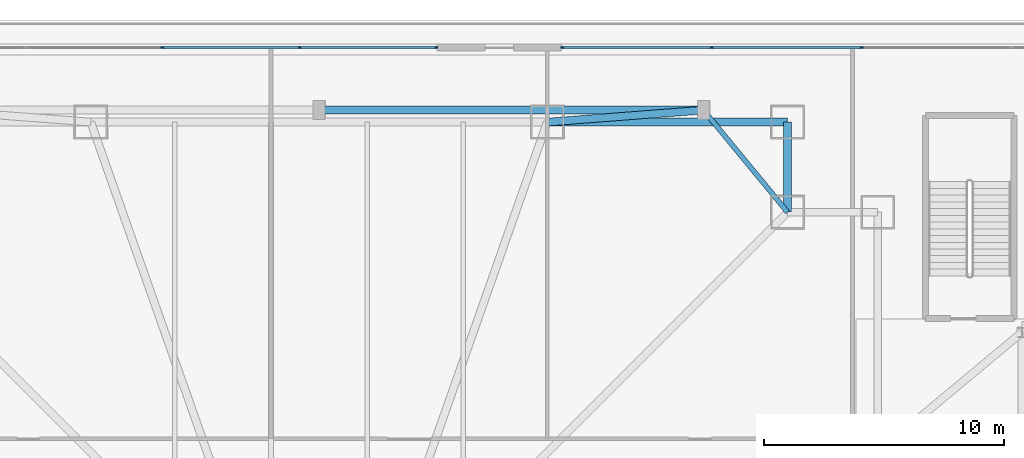
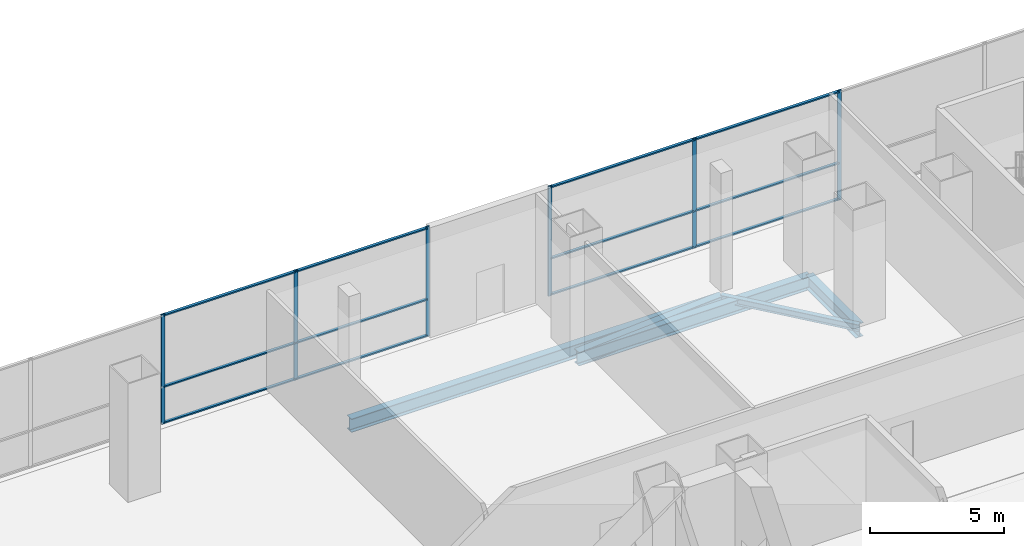
# One storey, part 16 of 35: 18 members, 5 beams, 2 elements without a shape of their own.
"""IFC4 building model written with IfcOpenShell, lengths in metres."""

import ifcopenshell
import ifcopenshell.guid

model = None  # the IFC model being written
_history = None  # IfcOwnerHistory: only IFC2X3 demands one
_inside = {}  # id of a spatial element -> (the spatial element, [elements in it])
_under = {}  # id of a project, library or spatial element -> (it, [spatial elements below it])
_declared = {}  # id of a project -> (the project, [libraries it declares])
_typed = {}  # id of a type object -> (the type object, [elements of that type])
_made_of = {}  # id of a material, layer set ... -> (it, [elements and type objects made of it])


def new_model(schema):
    """Start an empty IFC model of exactly this schema.

    Asked for "IFC4X3", IfcOpenShell would pick the latest addendum, in which some entities
    have other attributes; the version numbers below select the first issue.
    IFC2X3 requires an IfcOwnerHistory on every rooted entity: one is made here for all.
    """
    global model, _history
    if schema == "IFC4X3":
        model = ifcopenshell.file(schema_version=(4, 3, 0, 0))
    else:
        model = ifcopenshell.file(schema=schema)
    _inside.clear()
    _under.clear()
    _declared.clear()
    _typed.clear()
    _made_of.clear()
    _history = None
    if model.schema == "IFC2X3":
        org = make("IfcOrganization", Name="unknown")
        user = make(
            "IfcPersonAndOrganization",
            ThePerson=make("IfcPerson", FamilyName="unknown"),
            TheOrganization=org,
        )
        app = make(
            "IfcApplication",
            ApplicationDeveloper=org,
            Version="unknown",
            ApplicationFullName="unknown",
            ApplicationIdentifier="unknown",
        )
        _history = make(
            "IfcOwnerHistory",
            OwningUser=user,
            OwningApplication=app,
            ChangeAction="ADDED",
            CreationDate=0,
        )
    return model


def make(cls, **values):
    """One entity of the class cls with the attributes given. An attribute that is None is left unset."""
    return model.create_entity(
        cls, **{name: value for name, value in values.items() if value is not None}
    )


def rooted(cls, **values):
    """An entity with a GlobalId (a new one), such as an element, a storey or a relation."""
    return make(cls, GlobalId=ifcopenshell.guid.new(), OwnerHistory=_history, **values)


def si_unit(unit_type, name, prefix=None):
    """IfcSIUnit, for example si_unit("LENGTHUNIT", "METRE", prefix="MILLI")."""
    return make("IfcSIUnit", UnitType=unit_type, Prefix=prefix, Name=name)


def assignment(units):
    """IfcUnitAssignment: the units of a project."""
    return None if units is None else make("IfcUnitAssignment", Units=units)


def point(xyz):
    """IfcCartesianPoint."""
    return None if xyz is None else make("IfcCartesianPoint", Coordinates=xyz)


def direction(xyz):
    """IfcDirection."""
    return None if xyz is None else make("IfcDirection", DirectionRatios=xyz)


def frame(location, z_axis=None, x_axis=None):
    """IfcAxis2Placement3D, a coordinate frame: its origin and axes. An axis left out is left unset."""
    return make(
        "IfcAxis2Placement3D",
        Location=point(location),
        Axis=direction(z_axis),
        RefDirection=direction(x_axis),
    )


def frame_2d(location, x_axis=None):
    """IfcAxis2Placement2D, a coordinate frame in the plane: its origin and x axis."""
    return make(
        "IfcAxis2Placement2D", Location=point(location), RefDirection=direction(x_axis)
    )


def origin():
    """The frame at (0, 0, 0) with its axes left unset."""
    return frame((0.0, 0.0, 0.0))


def origin_2d():
    """The frame at (0, 0) in the plane with its x axis left unset."""
    return frame_2d((0.0, 0.0))


def place(relative_to, where):
    """IfcLocalPlacement: puts the frame where relative to a parent placement (None: the world)."""
    return make(
        "IfcLocalPlacement", PlacementRelTo=relative_to, RelativePlacement=where
    )


def context(
    kind, dimensions, precision=None, world=None, true_north=None, identifier=None
):
    """IfcGeometricRepresentationContext, for example the 3D "Model" context."""
    return make(
        "IfcGeometricRepresentationContext",
        ContextIdentifier=identifier,
        ContextType=kind,
        CoordinateSpaceDimension=dimensions,
        Precision=precision,
        WorldCoordinateSystem=world,
        TrueNorth=true_north,
    )


def subcontext(parent, identifier, kind, view, scale=None):
    """IfcGeometricRepresentationSubContext, for example "Body" below "Model"."""
    return make(
        "IfcGeometricRepresentationSubContext",
        ContextIdentifier=identifier,
        ContextType=kind,
        ParentContext=parent,
        TargetScale=scale,
        TargetView=view,
    )


def project(units=None, contexts=None):
    """IfcProject with its units and contexts."""
    return rooted(
        "IfcProject",
        Name="project",
        RepresentationContexts=contexts,
        UnitsInContext=assignment(units),
    )


def spatial(cls, under=None, at=None, **own):
    """A site, building, storey or space (cls), placed at a placement, below another one or the project."""
    s = rooted(cls, ObjectPlacement=at, **own)
    if under is not None:
        _under.setdefault(under.id(), (under, []))[1].append(s)
    return s


def profile(cls, at=None, kind="AREA", **sizes):
    """A parametric profile (cls). Its sizes go by their IFC names, for example OverallWidth=200.0."""
    return make(cls, ProfileType=kind, Position=at, **sizes)


def rectangle(**sizes):
    """IfcRectangleProfileDef."""
    return profile("IfcRectangleProfileDef", **sizes)


def i_section(**sizes):
    """IfcIShapeProfileDef."""
    return profile("IfcIShapeProfileDef", **sizes)


def extrude(swept, where, along, depth):
    """IfcExtrudedAreaSolid: the profile swept, set in the frame where, extruded along a direction by depth."""
    return make(
        "IfcExtrudedAreaSolid",
        SweptArea=swept,
        Position=where,
        ExtrudedDirection=direction(along),
        Depth=depth,
    )


def shape(context_of_items, identifier, shape_type, items):
    """IfcShapeRepresentation: the items that make up one representation, for example the "Body"."""
    return make(
        "IfcShapeRepresentation",
        ContextOfItems=context_of_items,
        RepresentationIdentifier=identifier,
        RepresentationType=shape_type,
        Items=items,
    )


def material(Name=None, Category=None):
    """IfcMaterial."""
    return make("IfcMaterial", Name=Name, Category=Category)


def layer(
    of_material, thickness, ventilated=None, Name=None, Category=None, Priority=None
):
    """IfcMaterialLayer: one layer of a wall or slab, of a material (None: an air gap)."""
    return make(
        "IfcMaterialLayer",
        Material=of_material,
        LayerThickness=thickness,
        IsVentilated=ventilated,
        Name=Name,
        Category=Category,
        Priority=Priority,
    )


def layer_set(layers, Name=None):
    """IfcMaterialLayerSet."""
    return make("IfcMaterialLayerSet", MaterialLayers=layers, LayerSetName=Name)


def material_profile(
    of_material, cross_section, Name=None, Category=None, Priority=None
):
    """IfcMaterialProfile: a cross section and its material."""
    return make(
        "IfcMaterialProfile",
        Name=Name,
        Material=of_material,
        Profile=cross_section,
        Priority=Priority,
        Category=Category,
    )


def profile_set(profiles, Name=None, composite=None):
    """IfcMaterialProfileSet."""
    return make(
        "IfcMaterialProfileSet",
        Name=Name,
        MaterialProfiles=profiles,
        CompositeProfile=composite,
    )


def made_of(thing, what):
    """Note that an element or type object is made of a material, layer set ...; save() writes the relation."""
    if what is not None:
        _made_of.setdefault(what.id(), (what, []))[1].append(thing)
    return thing


def type_object(cls, material=None, **own):
    """A type object (cls), such as IfcWallType, which elements share."""
    return made_of(rooted(cls, **own), material)


def element(
    cls,
    number,
    at=None,
    inside=None,
    cuts=None,
    type_object=None,
    material=None,
    context=None,
    identifier="Body",
    shape_type=None,
    held_by="IfcProductDefinitionShape",
    body=None,
    shapes=None,
    **own,
):
    """One element of the class cls, such as IfcWall. Its Tag is "e" and its number.

    at: its placement. inside: the storey or other place that contains it. cuts: it is an
    opening in that element (IfcRelVoidsElement). A single representation is given by context,
    identifier, shape_type and body (its items); several are given by shapes. held_by: the class
    of the entity that holds the representations. save() writes the other relations.
    """
    e = rooted(cls, Tag="e%d" % number, ObjectPlacement=at, **own)
    if body is not None:
        shapes = [shape(context, identifier, shape_type, body)]
    if shapes is not None:
        e.Representation = make(held_by, Representations=shapes)
    if inside is not None:
        _inside.setdefault(inside.id(), (inside, []))[1].append(e)
    if cuts is not None:
        rooted(
            "IfcRelVoidsElement", RelatingBuildingElement=cuts, RelatedOpeningElement=e
        )
    if type_object is not None:
        _typed.setdefault(type_object.id(), (type_object, []))[1].append(e)
    return made_of(e, material)


def aggregate(whole, parts):
    """IfcRelAggregates: a whole, such as a stair, and the parts it consists of."""
    return rooted("IfcRelAggregates", RelatingObject=whole, RelatedObjects=parts)


def save(model, path):
    """Write the relations noted so far, then the file.

    IfcRelAggregates (storeys below a building ...), IfcRelContainedInSpatialStructure (elements
    in a storey), IfcRelDefinesByType, IfcRelAssociatesMaterial and IfcRelDeclares: one each for
    every whole, place, type object, material and project.
    """
    for whole, parts in _under.values():
        aggregate(whole, parts)
    for where, things in _inside.values():
        rooted(
            "IfcRelContainedInSpatialStructure",
            RelatedElements=things,
            RelatingStructure=where,
        )
    for kind, things in _typed.values():
        rooted("IfcRelDefinesByType", RelatedObjects=things, RelatingType=kind)
    for what, things in _made_of.values():
        rooted("IfcRelAssociatesMaterial", RelatedObjects=things, RelatingMaterial=what)
    for by, libraries in _declared.values():
        rooted("IfcRelDeclares", RelatingContext=by, RelatedDefinitions=libraries)
    model.write(path)


model = new_model("IFC4")

# Units and contexts
model_context = context("Model", 3, precision=1e-05, world=origin(), true_north=direction((0.0, 1.0)))
body_context = subcontext(model_context, "Body", "Model", "MODEL_VIEW")
ifc_project = project(units=[si_unit("LENGTHUNIT", "METRE"), si_unit("AREAUNIT", "SQUARE_METRE"), si_unit("VOLUMEUNIT", "CUBIC_METRE"), si_unit("PLANEANGLEUNIT", "RADIAN"), si_unit("MASSUNIT", "GRAM", prefix="KILO")], contexts=[model_context])

# Site, building, storey
site_placement = place(None, origin())
site = spatial("IfcSite", under=ifc_project, at=site_placement, CompositionType="ELEMENT")
building_placement = place(site_placement, origin())
building = spatial("IfcBuilding", under=site, at=building_placement, Name="Trevonay Congress Spire", CompositionType="ELEMENT")
storey_placement = place(building_placement, frame((0.0, 0.0, 10.800048828125)))
storey = spatial("IfcBuildingStorey", under=building, at=storey_placement, Name="L02", CompositionType="ELEMENT", Elevation=10.800048828125)

# Beams
ifc_material_1 = material(Name="Steel ASTM A572 Grade 50", Category="steel")
ifc_material_profile_1 = material_profile(ifc_material_1, i_section(OverallWidth=0.324951171875, OverallDepth=0.615966796875, WebThickness=0.013916015625, FlangeThickness=0.021484375, FilletRadius=0.01806640625, at=origin_2d()), Name="W610x174")
ifc_profile_set_1 = profile_set([ifc_material_profile_1], Name="Steel ASTM A572 Grade 50")
beam_type_1 = type_object("IfcBeamType", Name="BM-GIRD-W610X174", PredefinedType="BEAM", material=ifc_profile_set_1)
beam_1_placement = place(storey_placement, frame((9.5, 23.25, -0.7080078125), z_axis=(1.0, 0.0, 0.0), x_axis=(0.0, 1.0, 0.0)))
element("IfcBeam", 1, at=beam_1_placement, inside=storey, type_object=beam_type_1, Name="L02 structural beam BM-L02-MN3", PredefinedType="BEAM", context=body_context, shape_type="SweptSolid", body=[
    extrude(i_section(OverallWidth=0.324951171875, OverallDepth=0.615966796875, WebThickness=0.013916015625, FlangeThickness=0.021484375, FilletRadius=0.01806640625, at=origin_2d()), origin(), (0.0, 0.0, 1.0), 10.0),
])
beam_2_placement = place(storey_placement, frame((19.5, 23.25, -0.7080078125), z_axis=(0.0, -1.0, 0.0), x_axis=(1.0, 0.0, 0.0)))
element("IfcBeam", 2, at=beam_2_placement, inside=storey, type_object=beam_type_1, Name="L02 structural beam BM-L02-CNE", PredefinedType="BEAM", context=body_context, shape_type="SweptSolid", body=[
    extrude(i_section(OverallWidth=0.324951171875, OverallDepth=0.615966796875, WebThickness=0.013916015625, FlangeThickness=0.021484375, FilletRadius=0.01806640625, at=origin_2d()), origin(), (0.0, 0.0, 1.0), 3.75),
])
beam_3_placement = place(storey_placement, frame((0.0, 23.75, -0.7080078125), z_axis=(1.0, 0.0, 0.0), x_axis=(0.0, 1.0, 0.0)))
element("IfcBeam", 3, at=beam_3_placement, inside=storey, type_object=beam_type_1, Name="L02 structural beam BM-L02-PIL-N2", PredefinedType="BEAM", context=body_context, shape_type="SweptSolid", body=[
    extrude(i_section(OverallWidth=0.324951171875, OverallDepth=0.615966796875, WebThickness=0.013916015625, FlangeThickness=0.021484375, FilletRadius=0.01806640625, at=origin_2d()), origin(), (0.0, 0.0, 1.0), 16.0),
])
beam_4_placement = place(storey_placement, frame((9.5, 23.25, -0.7080078125), z_axis=(0.997054485502, 0.076696498885, 0.0), x_axis=(-0.076696498885, 0.997054485502, 0.0)))
element("IfcBeam", 4, at=beam_4_placement, inside=storey, type_object=beam_type_1, Name="L02 structural beam BM-L02-PIL-TN2", PredefinedType="BEAM", context=body_context, shape_type="SweptSolid", body=[
    extrude(i_section(OverallWidth=0.324951171875, OverallDepth=0.615966796875, WebThickness=0.013916015625, FlangeThickness=0.021484375, FilletRadius=0.01806640625, at=origin_2d()), origin(), (0.0, 0.0, 1.0), 6.519287109375),
])

# Curtain wall, members
ifc_material_2 = material(Name="Pale Anodised Aluminium EN AW-6063-T6", Category="aluminium")
ifc_layer = layer(ifc_material_2, 0.179931640625, Name="Pale Anodised Aluminium EN AW-6063-T6")
ifc_layer_set = layer_set([ifc_layer], Name="Pale Anodised Aluminium EN AW-6063-T6")
curtain_wall_type = type_object("IfcCurtainWallType", Name="CW-SYS01-PODIUM-PALE-METAL", PredefinedType="NOTDEFINED", material=ifc_layer_set)
curtain_wall_1_placement = place(storey_placement, origin())
curtain_wall_1 = element("IfcCurtainWall", 5, at=curtain_wall_1_placement, inside=storey, type_object=curtain_wall_type, Name="L02 N1 podium curtain wall", PredefinedType="NOTDEFINED")
ifc_material_profile_2 = material_profile(ifc_material_2, rectangle(XDim=0.06005859375, YDim=0.159912109375, at=origin_2d()), Name="CW-MULLION-160-ALUMINIUM")
ifc_profile_set_2 = profile_set([ifc_material_profile_2], Name="Pale Anodised Aluminium EN AW-6063-T6")
member_type_1 = type_object("IfcMemberType", Name="CW-MULLION-160-ALUMINIUM", PredefinedType="MULLION", material=ifc_profile_set_2)
member_1_placement = place(storey_placement, frame((-6.514404296875, 26.35009765625, 0.0), z_axis=(0.0, 0.0, 1.0), x_axis=(0.0, 1.0, 0.0)))
member_1 = element("IfcMember", 6, at=member_1_placement, type_object=member_type_1, Name="CW01 mullion 6", PredefinedType="MULLION", context=body_context, shape_type="SweptSolid", body=[
    extrude(rectangle(XDim=0.06005859375, YDim=0.159912109375, at=origin_2d()), origin(), (0.0, 0.0, 1.0), 5.0),
])
member_2_placement = place(storey_placement, frame((-0.80712890625, 26.35009765625, 0.0), z_axis=(0.0, 0.0, 1.0), x_axis=(0.0, 1.0, 0.0)))
member_2 = element("IfcMember", 7, at=member_2_placement, type_object=member_type_1, Name="CW01 mullion 7", PredefinedType="MULLION", context=body_context, shape_type="SweptSolid", body=[
    extrude(rectangle(XDim=0.06005859375, YDim=0.159912109375, at=origin_2d()), origin(), (0.0, 0.0, 1.0), 5.0),
])
member_3_placement = place(storey_placement, frame((4.8701171875, 26.35009765625, 0.0), z_axis=(0.0, 0.0, 1.0), x_axis=(0.0, 1.0, 0.0)))
member_3 = element("IfcMember", 8, at=member_3_placement, type_object=member_type_1, Name="CW01 mullion 8", PredefinedType="MULLION", context=body_context, shape_type="SweptSolid", body=[
    extrude(rectangle(XDim=0.06005859375, YDim=0.159912109375, at=origin_2d()), origin(), (0.0, 0.0, 1.0), 5.0),
])

curtain_wall_2_placement = place(storey_placement, origin())
curtain_wall_2 = element("IfcCurtainWall", 9, at=curtain_wall_2_placement, inside=storey, type_object=curtain_wall_type, Name="L02 N2 podium curtain wall", PredefinedType="NOTDEFINED")
member_4_placement = place(storey_placement, frame((10.1298828125, 26.35009765625, 0.0), z_axis=(0.0, 0.0, 1.0), x_axis=(0.0, 1.0, 0.0)))
member_4 = element("IfcMember", 10, at=member_4_placement, type_object=member_type_1, Name="CW01 mullion 1", PredefinedType="MULLION", context=body_context, shape_type="SweptSolid", body=[
    extrude(rectangle(XDim=0.06005859375, YDim=0.159912109375, at=origin_2d()), origin(), (0.0, 0.0, 1.0), 5.0),
])
member_5_placement = place(storey_placement, frame((16.33740234375, 26.35009765625, 0.0), z_axis=(0.0, 0.0, 1.0), x_axis=(0.0, 1.0, 0.0)))
member_5 = element("IfcMember", 11, at=member_5_placement, type_object=member_type_1, Name="CW01 mullion 2", PredefinedType="MULLION", context=body_context, shape_type="SweptSolid", body=[
    extrude(rectangle(XDim=0.06005859375, YDim=0.159912109375, at=origin_2d()), origin(), (0.0, 0.0, 1.0), 5.0),
])
member_6_placement = place(storey_placement, frame((22.574951171875, 26.35009765625, 0.0), z_axis=(0.0, 0.0, 1.0), x_axis=(0.0, 1.0, 0.0)))
member_6 = element("IfcMember", 12, at=member_6_placement, type_object=member_type_1, Name="CW01 mullion 3", PredefinedType="MULLION", context=body_context, shape_type="SweptSolid", body=[
    extrude(rectangle(XDim=0.06005859375, YDim=0.159912109375, at=origin_2d()), origin(), (0.0, 0.0, 1.0), 5.0),
])

# Member
ifc_material_profile_3 = material_profile(ifc_material_2, rectangle(XDim=0.1201171875, YDim=0.06005859375, at=origin_2d()), Name="CW-TRANSOM-120-ALUMINIUM")
ifc_profile_set_3 = profile_set([ifc_material_profile_3], Name="Pale Anodised Aluminium EN AW-6063-T6")
member_type_2 = type_object("IfcMemberType", Name="CW-TRANSOM-120-ALUMINIUM", PredefinedType="USERDEFINED", material=ifc_profile_set_3)
member_7_placement = place(storey_placement, frame((-6.484375, 26.35009765625, 0.06005859375), z_axis=(1.0, 0.0, 0.0), x_axis=(0.0, 1.0, 0.0)))
member_7 = element("IfcMember", 13, at=member_7_placement, type_object=member_type_2, Name="CW01 transom 6.1", ObjectType="TRANSOM", PredefinedType="USERDEFINED", context=body_context, shape_type="SweptSolid", body=[
    extrude(rectangle(XDim=0.1201171875, YDim=0.06005859375, at=origin_2d()), origin(), (0.0, 0.0, 1.0), 5.647216796875),
])

member_8_placement = place(storey_placement, frame((-6.484375, 26.35009765625, 1.699951171875), z_axis=(1.0, 0.0, 0.0), x_axis=(0.0, 1.0, 0.0)))
member_8 = element("IfcMember", 14, at=member_8_placement, type_object=member_type_2, Name="CW01 transom 6.2", ObjectType="TRANSOM", PredefinedType="USERDEFINED", context=body_context, shape_type="SweptSolid", body=[
    extrude(rectangle(XDim=0.1201171875, YDim=0.06005859375, at=origin_2d()), origin(), (0.0, 0.0, 1.0), 5.647216796875),
])

member_9_placement = place(storey_placement, frame((-6.484375, 26.35009765625, 4.93994140625), z_axis=(1.0, 0.0, 0.0), x_axis=(0.0, 1.0, 0.0)))
member_9 = element("IfcMember", 15, at=member_9_placement, type_object=member_type_2, Name="CW01 transom 6.3", ObjectType="TRANSOM", PredefinedType="USERDEFINED", context=body_context, shape_type="SweptSolid", body=[
    extrude(rectangle(XDim=0.1201171875, YDim=0.06005859375, at=origin_2d()), origin(), (0.0, 0.0, 1.0), 5.647216796875),
])

member_10_placement = place(storey_placement, frame((-0.777099609375, 26.35009765625, 0.06005859375), z_axis=(1.0, 0.0, 0.0), x_axis=(0.0, 1.0, 0.0)))
member_10 = element("IfcMember", 16, at=member_10_placement, type_object=member_type_2, Name="CW01 transom 7.1", ObjectType="TRANSOM", PredefinedType="USERDEFINED", context=body_context, shape_type="SweptSolid", body=[
    extrude(rectangle(XDim=0.1201171875, YDim=0.06005859375, at=origin_2d()), origin(), (0.0, 0.0, 1.0), 5.6171875),
])

member_11_placement = place(storey_placement, frame((-0.777099609375, 26.35009765625, 1.699951171875), z_axis=(1.0, 0.0, 0.0), x_axis=(0.0, 1.0, 0.0)))
member_11 = element("IfcMember", 17, at=member_11_placement, type_object=member_type_2, Name="CW01 transom 7.2", ObjectType="TRANSOM", PredefinedType="USERDEFINED", context=body_context, shape_type="SweptSolid", body=[
    extrude(rectangle(XDim=0.1201171875, YDim=0.06005859375, at=origin_2d()), origin(), (0.0, 0.0, 1.0), 5.6171875),
])

member_12_placement = place(storey_placement, frame((-0.777099609375, 26.35009765625, 4.93994140625), z_axis=(1.0, 0.0, 0.0), x_axis=(0.0, 1.0, 0.0)))
member_12 = element("IfcMember", 18, at=member_12_placement, type_object=member_type_2, Name="CW01 transom 7.3", ObjectType="TRANSOM", PredefinedType="USERDEFINED", context=body_context, shape_type="SweptSolid", body=[
    extrude(rectangle(XDim=0.1201171875, YDim=0.06005859375, at=origin_2d()), origin(), (0.0, 0.0, 1.0), 5.6171875),
])

aggregate(curtain_wall_1, [member_1, member_2, member_3, member_7, member_8, member_9, member_10, member_11, member_12])

member_13_placement = place(storey_placement, frame((10.159912109375, 26.35009765625, 0.06005859375), z_axis=(1.0, 0.0, 0.0), x_axis=(0.0, 1.0, 0.0)))
member_13 = element("IfcMember", 19, at=member_13_placement, type_object=member_type_2, Name="CW01 transom 1.1", ObjectType="TRANSOM", PredefinedType="USERDEFINED", context=body_context, shape_type="SweptSolid", body=[
    extrude(rectangle(XDim=0.1201171875, YDim=0.06005859375, at=origin_2d()), origin(), (0.0, 0.0, 1.0), 6.147705078125),
])

member_14_placement = place(storey_placement, frame((10.159912109375, 26.35009765625, 1.699951171875), z_axis=(1.0, 0.0, 0.0), x_axis=(0.0, 1.0, 0.0)))
member_14 = element("IfcMember", 20, at=member_14_placement, type_object=member_type_2, Name="CW01 transom 1.2", ObjectType="TRANSOM", PredefinedType="USERDEFINED", context=body_context, shape_type="SweptSolid", body=[
    extrude(rectangle(XDim=0.1201171875, YDim=0.06005859375, at=origin_2d()), origin(), (0.0, 0.0, 1.0), 6.147705078125),
])

member_15_placement = place(storey_placement, frame((10.159912109375, 26.35009765625, 4.93994140625), z_axis=(1.0, 0.0, 0.0), x_axis=(0.0, 1.0, 0.0)))
member_15 = element("IfcMember", 21, at=member_15_placement, type_object=member_type_2, Name="CW01 transom 1.3", ObjectType="TRANSOM", PredefinedType="USERDEFINED", context=body_context, shape_type="SweptSolid", body=[
    extrude(rectangle(XDim=0.1201171875, YDim=0.06005859375, at=origin_2d()), origin(), (0.0, 0.0, 1.0), 6.147705078125),
])

member_16_placement = place(storey_placement, frame((16.367431640625, 26.35009765625, 0.06005859375), z_axis=(1.0, 0.0, 0.0), x_axis=(0.0, 1.0, 0.0)))
member_16 = element("IfcMember", 22, at=member_16_placement, type_object=member_type_2, Name="CW01 transom 2.1", ObjectType="TRANSOM", PredefinedType="USERDEFINED", context=body_context, shape_type="SweptSolid", body=[
    extrude(rectangle(XDim=0.1201171875, YDim=0.06005859375, at=origin_2d()), origin(), (0.0, 0.0, 1.0), 6.177490234375),
])

member_17_placement = place(storey_placement, frame((16.367431640625, 26.35009765625, 1.699951171875), z_axis=(1.0, 0.0, 0.0), x_axis=(0.0, 1.0, 0.0)))
member_17 = element("IfcMember", 23, at=member_17_placement, type_object=member_type_2, Name="CW01 transom 2.2", ObjectType="TRANSOM", PredefinedType="USERDEFINED", context=body_context, shape_type="SweptSolid", body=[
    extrude(rectangle(XDim=0.1201171875, YDim=0.06005859375, at=origin_2d()), origin(), (0.0, 0.0, 1.0), 6.177490234375),
])

member_18_placement = place(storey_placement, frame((16.367431640625, 26.35009765625, 4.93994140625), z_axis=(1.0, 0.0, 0.0), x_axis=(0.0, 1.0, 0.0)))
member_18 = element("IfcMember", 24, at=member_18_placement, type_object=member_type_2, Name="CW01 transom 2.3", ObjectType="TRANSOM", PredefinedType="USERDEFINED", context=body_context, shape_type="SweptSolid", body=[
    extrude(rectangle(XDim=0.1201171875, YDim=0.06005859375, at=origin_2d()), origin(), (0.0, 0.0, 1.0), 6.177490234375),
])

aggregate(curtain_wall_2, [member_4, member_5, member_6, member_13, member_14, member_15, member_16, member_17, member_18])

# Beam
ifc_material_profile_4 = material_profile(ifc_material_1, i_section(OverallWidth=0.2041015625, OverallDepth=0.305908203125, WebThickness=0.008544921875, FlangeThickness=0.0146484375, FilletRadius=0.010986328125, at=origin_2d()), Name="W310x67")
ifc_profile_set_4 = profile_set([ifc_material_profile_4], Name="Steel ASTM A572 Grade 50")
beam_type_2 = type_object("IfcBeamType", Name="SPB-W310X67", PredefinedType="SPANDREL", material=ifc_profile_set_4)
beam_5_placement = place(storey_placement, frame((16.0, 23.75, -0.552978515625), z_axis=(0.635707252861, -0.771930235617, 0.0), x_axis=(0.771930235617, 0.635707252861, 0.0)))
element("IfcBeam", 25, at=beam_5_placement, inside=storey, type_object=beam_type_2, Name="L02 structural beam SPB-L02-NE", PredefinedType="SPANDREL", context=body_context, shape_type="SweptSolid", body=[
    extrude(i_section(OverallWidth=0.2041015625, OverallDepth=0.305908203125, WebThickness=0.008544921875, FlangeThickness=0.0146484375, FilletRadius=0.010986328125, at=origin_2d()), origin(), (0.0, 0.0, 1.0), 5.505615234375),
])

save(model, "model.ifc")
